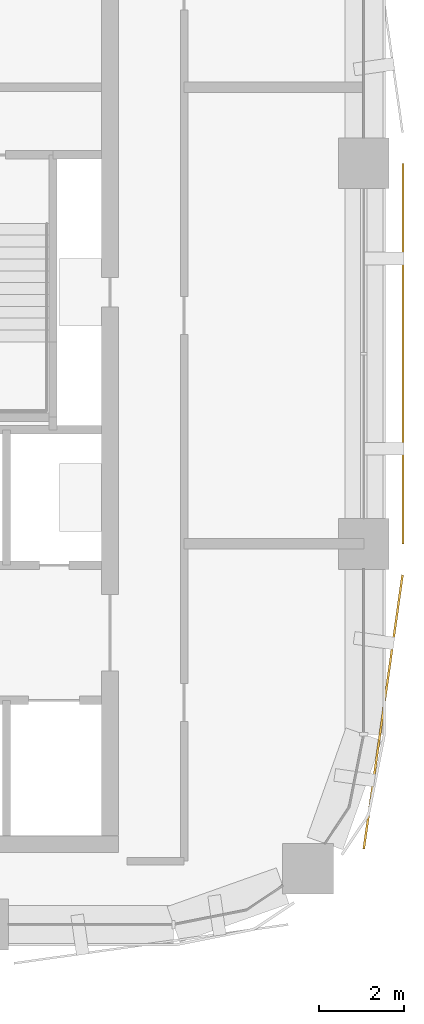
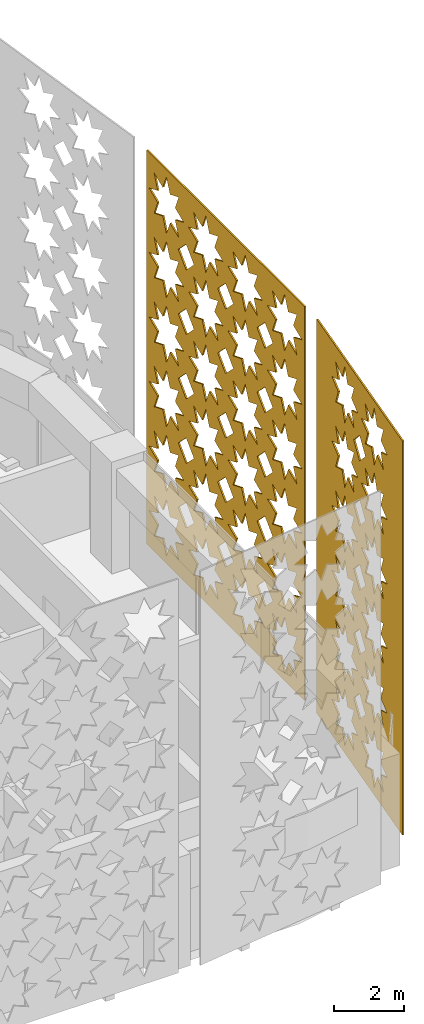
# One storey, part 16 of 17: 2 coverings.
"""IFC4 building model written with IfcOpenShell, lengths in metres."""

from ifc_helpers import new_model, si_unit, direction, frame, origin, place, context, subcontext, project, spatial, polyline, outline, extrude, material, layer, layer_set, type_object, element, save


model = new_model("IFC4")

# Units and contexts
model_context = context("Model", 3, precision=1e-05, world=origin(), true_north=direction((0.0, 1.0)))
body_context = subcontext(model_context, "Body", "Model", "MODEL_VIEW")
ifc_project = project(units=[si_unit("LENGTHUNIT", "METRE"), si_unit("AREAUNIT", "SQUARE_METRE"), si_unit("VOLUMEUNIT", "CUBIC_METRE"), si_unit("PLANEANGLEUNIT", "RADIAN"), si_unit("MASSUNIT", "GRAM", prefix="KILO")], contexts=[model_context])

# Site, building, storey
site_placement = place(None, origin())
site = spatial("IfcSite", under=ifc_project, at=site_placement, CompositionType="ELEMENT")
building_placement = place(site_placement, origin())
building = spatial("IfcBuilding", under=site, at=building_placement, Name="Tessera Arch", CompositionType="ELEMENT")
storey_placement = place(building_placement, frame((0.0, 0.0, 281.300048828125)))
storey = spatial("IfcBuildingStorey", under=building, at=storey_placement, Name="L68", CompositionType="ELEMENT", Elevation=281.300048828125)

# Coverings
ifc_material_1 = material(Name="Anodised aluminium pale metal", Category="aluminium")
ifc_layer_1 = layer(ifc_material_1, 0.050048828125)
ifc_layer_set_1 = layer_set([ifc_layer_1], Name="Pierced screen panel corner bay")
covering_type_1 = type_object("IfcCoveringType", Name="Pierced screen panel corner bay", PredefinedType="CLADDING", material=ifc_layer_set_1)
covering_1_placement = place(storey_placement, frame((53.97412109375, 28.7919921875, 13.89990234375), z_axis=(-0.990141011378, 0.140074186016, 0.0), x_axis=(0.140074186016, 0.990141011378, 0.0)))
element("IfcCovering", 1, at=covering_1_placement, inside=storey, type_object=covering_type_1, Name="SCREEN pierced panel E54.27/2 L68-L70", PredefinedType="CLADDING", context=body_context, shape_type="SweptSolid", body=[
    extrude(outline(polyline([(0.0, 0.0), (6.546475218445481, 0.0), (6.546475218445481, 13.739990234375), (0.0, 13.739990234375), (0.0, 0.0)]), holes=[polyline([(3.137858409575383, 12.494873046875), (2.6469229422635148, 12.287841796875), (2.8479028079497066, 11.794921875), (2.354999273675671, 11.995849609375), (2.1478734734576217, 11.5048828125), (1.941990539265672, 11.995849609375), (1.447878336764857, 11.794921875), (1.6490657382970841, 12.287841796875), (1.15788853733986, 12.494873046875), (1.6490657382970841, 12.701904296875), (1.447878336764857, 13.195068359375), (1.941990539265672, 12.993896484375), (2.1478734734576217, 13.48486328125), (2.354999273675671, 12.993896484375), (2.8479028079497066, 13.195068359375), (2.6469229422635148, 12.701904296875), (3.137858409575383, 12.494873046875)]), polyline([(3.137858409575383, 10.244873046875), (2.6469229422635148, 10.037841796875), (2.8479028079497066, 9.544921875), (2.354999273675671, 9.745849609375), (2.1478734734576217, 9.2548828125), (1.941990539265672, 9.745849609375), (1.447878336764857, 9.544921875), (1.6490657382970841, 10.037841796875), (1.15788853733986, 10.244873046875), (1.6490657382970841, 10.451904296875), (1.447878336764857, 10.945068359375), (1.941990539265672, 10.743896484375), (2.1478734734576217, 11.23486328125), (2.354999273675671, 10.743896484375), (2.8479028079497066, 10.945068359375), (2.6469229422635148, 10.451904296875), (3.137858409575383, 10.244873046875)]), polyline([(3.137858409575383, 7.994873046875), (2.6469229422635148, 7.787841796875), (2.8479028079497066, 7.294921875), (2.354999273675671, 7.495849609375), (2.1478734734576217, 7.0048828125), (1.941990539265672, 7.495849609375), (1.447878336764857, 7.294921875), (1.6490657382970841, 7.787841796875), (1.15788853733986, 7.994873046875), (1.6490657382970841, 8.201904296875), (1.447878336764857, 8.695068359375), (1.941990539265672, 8.493896484375), (2.1478734734576217, 8.98486328125), (2.354999273675671, 8.493896484375), (2.8479028079497066, 8.695068359375), (2.6469229422635148, 8.201904296875), (3.137858409575383, 7.994873046875)]), polyline([(3.137858409575383, 5.744873046875), (2.6469229422635148, 5.537841796875), (2.8479028079497066, 5.044921875), (2.354999273675671, 5.245849609375), (2.1478734734576217, 4.7548828125), (1.941990539265672, 5.245849609375), (1.447878336764857, 5.044921875), (1.6490657382970841, 5.537841796875), (1.15788853733986, 5.744873046875), (1.6490657382970841, 5.951904296875), (1.447878336764857, 6.445068359375), (1.941990539265672, 6.243896484375), (2.1478734734576217, 6.73486328125), (2.354999273675671, 6.243896484375), (2.8479028079497066, 6.445068359375), (2.6469229422635148, 5.951904296875), (3.137858409575383, 5.744873046875)]), polyline([(3.137858409575383, 3.494873046875), (2.6469229422635148, 3.287841796875), (2.8479028079497066, 2.794921875), (2.354999273675671, 2.995849609375), (2.1478734734576217, 2.5048828125), (1.941990539265672, 2.995849609375), (1.447878336764857, 2.794921875), (1.6490657382970841, 3.287841796875), (1.15788853733986, 3.494873046875), (1.6490657382970841, 3.701904296875), (1.447878336764857, 4.195068359375), (1.941990539265672, 3.993896484375), (2.1478734734576217, 4.48486328125), (2.354999273675671, 3.993896484375), (2.8479028079497066, 4.195068359375), (2.6469229422635148, 3.701904296875), (3.137858409575383, 3.494873046875)]), polyline([(3.137858409575383, 1.244873046875), (2.6469229422635148, 1.037841796875), (2.8479028079497066, 0.544921875), (2.354999273675671, 0.745849609375), (2.1478734734576217, 0.2548828125), (1.941990539265672, 0.745849609375), (1.447878336764857, 0.544921875), (1.6490657382970841, 1.037841796875), (1.15788853733986, 1.244873046875), (1.6490657382970841, 1.451904296875), (1.447878336764857, 1.945068359375), (1.941990539265672, 1.743896484375), (2.1478734734576217, 2.23486328125), (2.354999273675671, 1.743896484375), (2.8479028079497066, 1.945068359375), (2.6469229422635148, 1.451904296875), (3.137858409575383, 1.244873046875)]), polyline([(5.387827282370234, 12.494873046875), (4.896891815058366, 12.287841796875), (5.097871680744557, 11.794921875), (4.604968146470521, 11.995849609375), (4.397842346252473, 11.5048828125), (4.191959412060523, 11.995849609375), (3.698088943205064, 11.794921875), (3.899034611091935, 12.287841796875), (3.407857410134711, 12.494873046875), (3.899034611091935, 12.701904296875), (3.698088943205064, 13.195068359375), (4.191959412060523, 12.993896484375), (4.397842346252473, 13.48486328125), (4.604968146470521, 12.993896484375), (5.097871680744557, 13.195068359375), (4.896891815058366, 12.701904296875), (5.387827282370234, 12.494873046875)]), polyline([(5.387827282370234, 10.244873046875), (4.896891815058366, 10.037841796875), (5.097871680744557, 9.544921875), (4.604968146470521, 9.745849609375), (4.397842346252473, 9.2548828125), (4.191959412060523, 9.745849609375), (3.698088943205064, 9.544921875), (3.899034611091935, 10.037841796875), (3.407857410134711, 10.244873046875), (3.899034611091935, 10.451904296875), (3.698088943205064, 10.945068359375), (4.191959412060523, 10.743896484375), (4.397842346252473, 11.23486328125), (4.604968146470521, 10.743896484375), (5.097871680744557, 10.945068359375), (4.896891815058366, 10.451904296875), (5.387827282370234, 10.244873046875)]), polyline([(5.387827282370234, 7.994873046875), (4.896891815058366, 7.787841796875), (5.097871680744557, 7.294921875), (4.604968146470521, 7.495849609375), (4.397842346252473, 7.0048828125), (4.191959412060523, 7.495849609375), (3.698088943205064, 7.294921875), (3.899034611091935, 7.787841796875), (3.407857410134711, 7.994873046875), (3.899034611091935, 8.201904296875), (3.698088943205064, 8.695068359375), (4.191959412060523, 8.493896484375), (4.397842346252473, 8.98486328125), (4.604968146470521, 8.493896484375), (5.097871680744557, 8.695068359375), (4.896891815058366, 8.201904296875), (5.387827282370234, 7.994873046875)]), polyline([(5.387827282370234, 5.744873046875), (4.896891815058366, 5.537841796875), (5.097871680744557, 5.044921875), (4.604968146470521, 5.245849609375), (4.397842346252473, 4.7548828125), (4.191959412060523, 5.245849609375), (3.698088943205064, 5.044921875), (3.899034611091935, 5.537841796875), (3.407857410134711, 5.744873046875), (3.899034611091935, 5.951904296875), (3.698088943205064, 6.445068359375), (4.191959412060523, 6.243896484375), (4.397842346252473, 6.73486328125), (4.604968146470521, 6.243896484375), (5.097871680744557, 6.445068359375), (4.896891815058366, 5.951904296875), (5.387827282370234, 5.744873046875)]), polyline([(5.387827282370234, 3.494873046875), (4.896891815058366, 3.287841796875), (5.097871680744557, 2.794921875), (4.604968146470521, 2.995849609375), (4.397842346252473, 2.5048828125), (4.191959412060523, 2.995849609375), (3.698088943205064, 2.794921875), (3.899034611091935, 3.287841796875), (3.407857410134711, 3.494873046875), (3.899034611091935, 3.701904296875), (3.698088943205064, 4.195068359375), (4.191959412060523, 3.993896484375), (4.397842346252473, 4.48486328125), (4.604968146470521, 3.993896484375), (5.097871680744557, 4.195068359375), (4.896891815058366, 3.701904296875), (5.387827282370234, 3.494873046875)]), polyline([(5.387827282370234, 1.244873046875), (4.896891815058366, 1.037841796875), (5.097871680744557, 0.544921875), (4.604968146470521, 0.745849609375), (4.397842346252473, 0.2548828125), (4.191959412060523, 0.745849609375), (3.698088943205064, 0.544921875), (3.899034611091935, 1.037841796875), (3.407857410134711, 1.244873046875), (3.899034611091935, 1.451904296875), (3.698088943205064, 1.945068359375), (4.191959412060523, 1.743896484375), (4.397842346252473, 2.23486328125), (4.604968146470521, 1.743896484375), (5.097871680744557, 1.945068359375), (4.896891815058366, 1.451904296875), (5.387827282370234, 1.244873046875)]), polyline([(3.7229828105764913, 11.369873046875), (3.272995875577385, 10.919921875), (2.8229747427789587, 11.369873046875), (3.272995875577385, 11.820068359375), (3.7229828105764913, 11.369873046875)]), polyline([(3.7229828105764913, 9.119873046875), (3.272995875577385, 8.669921875), (2.8229747427789587, 9.119873046875), (3.272995875577385, 9.570068359375), (3.7229828105764913, 9.119873046875)]), polyline([(3.7229828105764913, 6.869873046875), (3.272995875577385, 6.419921875), (2.8229747427789587, 6.869873046875), (3.272995875577385, 7.320068359375), (3.7229828105764913, 6.869873046875)]), polyline([(3.7229828105764913, 4.619873046875), (3.272995875577385, 4.169921875), (2.8229747427789587, 4.619873046875), (3.272995875577385, 5.070068359375), (3.7229828105764913, 4.619873046875)]), polyline([(3.7229828105764913, 2.369873046875), (3.272995875577385, 1.919921875), (2.8229747427789587, 2.369873046875), (3.272995875577385, 2.820068359375), (3.7229828105764913, 2.369873046875)])]), origin(), (0.0, 0.0, -1.0), 0.050048828125),
])
ifc_material_2 = material(Name="Anodised aluminium pale metal", Category="aluminium")
ifc_layer_2 = layer(ifc_material_2, 0.050048828125)
ifc_layer_set_2 = layer_set([ifc_layer_2], Name="Pierced screen panel straight bay")
covering_type_2 = type_object("IfcCoveringType", Name="Pierced screen panel straight bay", PredefinedType="CLADDING", material=ifc_layer_set_2)
covering_2_placement = place(storey_placement, frame((54.89990234375, 36.0, 13.89990234375), z_axis=(-1.0, 0.0, 0.0), x_axis=(0.0, 1.0, 0.0)))
element("IfcCovering", 2, at=covering_2_placement, inside=storey, type_object=covering_type_2, Name="SCREEN pierced panel E54.27/0 L68-L70", PredefinedType="CLADDING", context=body_context, shape_type="SweptSolid", body=[
    extrude(outline(polyline([(0.0, 0.0), (9.0, 0.0), (9.0, 13.739990234375), (0.0, 13.739990234375), (0.0, 0.0)]), holes=[polyline([(2.114990234375, 12.494873046875), (1.6240234375, 12.287841796875), (1.824951171875, 11.794921875), (1.33203125, 11.995849609375), (1.125, 11.5048828125), (0.91796875, 11.995849609375), (0.425048828125, 11.794921875), (0.6259765625, 12.287841796875), (0.135009765625, 12.494873046875), (0.6259765625, 12.701904296875), (0.425048828125, 13.195068359375), (0.91796875, 12.993896484375), (1.125, 13.48486328125), (1.33203125, 12.993896484375), (1.824951171875, 13.195068359375), (1.6240234375, 12.701904296875), (2.114990234375, 12.494873046875)]), polyline([(2.114990234375, 10.244873046875), (1.6240234375, 10.037841796875), (1.824951171875, 9.544921875), (1.33203125, 9.745849609375), (1.125, 9.2548828125), (0.91796875, 9.745849609375), (0.425048828125, 9.544921875), (0.6259765625, 10.037841796875), (0.135009765625, 10.244873046875), (0.6259765625, 10.451904296875), (0.425048828125, 10.945068359375), (0.91796875, 10.743896484375), (1.125, 11.23486328125), (1.33203125, 10.743896484375), (1.824951171875, 10.945068359375), (1.6240234375, 10.451904296875), (2.114990234375, 10.244873046875)]), polyline([(2.114990234375, 7.994873046875), (1.6240234375, 7.787841796875), (1.824951171875, 7.294921875), (1.33203125, 7.495849609375), (1.125, 7.0048828125), (0.91796875, 7.495849609375), (0.425048828125, 7.294921875), (0.6259765625, 7.787841796875), (0.135009765625, 7.994873046875), (0.6259765625, 8.201904296875), (0.425048828125, 8.695068359375), (0.91796875, 8.493896484375), (1.125, 8.98486328125), (1.33203125, 8.493896484375), (1.824951171875, 8.695068359375), (1.6240234375, 8.201904296875), (2.114990234375, 7.994873046875)]), polyline([(2.114990234375, 5.744873046875), (1.6240234375, 5.537841796875), (1.824951171875, 5.044921875), (1.33203125, 5.245849609375), (1.125, 4.7548828125), (0.91796875, 5.245849609375), (0.425048828125, 5.044921875), (0.6259765625, 5.537841796875), (0.135009765625, 5.744873046875), (0.6259765625, 5.951904296875), (0.425048828125, 6.445068359375), (0.91796875, 6.243896484375), (1.125, 6.73486328125), (1.33203125, 6.243896484375), (1.824951171875, 6.445068359375), (1.6240234375, 5.951904296875), (2.114990234375, 5.744873046875)]), polyline([(2.114990234375, 3.494873046875), (1.6240234375, 3.287841796875), (1.824951171875, 2.794921875), (1.33203125, 2.995849609375), (1.125, 2.5048828125), (0.91796875, 2.995849609375), (0.425048828125, 2.794921875), (0.6259765625, 3.287841796875), (0.135009765625, 3.494873046875), (0.6259765625, 3.701904296875), (0.425048828125, 4.195068359375), (0.91796875, 3.993896484375), (1.125, 4.48486328125), (1.33203125, 3.993896484375), (1.824951171875, 4.195068359375), (1.6240234375, 3.701904296875), (2.114990234375, 3.494873046875)]), polyline([(2.114990234375, 1.244873046875), (1.6240234375, 1.037841796875), (1.824951171875, 0.544921875), (1.33203125, 0.745849609375), (1.125, 0.2548828125), (0.91796875, 0.745849609375), (0.425048828125, 0.544921875), (0.6259765625, 1.037841796875), (0.135009765625, 1.244873046875), (0.6259765625, 1.451904296875), (0.425048828125, 1.945068359375), (0.91796875, 1.743896484375), (1.125, 2.23486328125), (1.33203125, 1.743896484375), (1.824951171875, 1.945068359375), (1.6240234375, 1.451904296875), (2.114990234375, 1.244873046875)]), polyline([(4.364990234375, 12.494873046875), (3.8740234375, 12.287841796875), (4.074951171875, 11.794921875), (3.58203125, 11.995849609375), (3.375, 11.5048828125), (3.16796875, 11.995849609375), (2.675048828125, 11.794921875), (2.8759765625, 12.287841796875), (2.385009765625, 12.494873046875), (2.8759765625, 12.701904296875), (2.675048828125, 13.195068359375), (3.16796875, 12.993896484375), (3.375, 13.48486328125), (3.58203125, 12.993896484375), (4.074951171875, 13.195068359375), (3.8740234375, 12.701904296875), (4.364990234375, 12.494873046875)]), polyline([(4.364990234375, 10.244873046875), (3.8740234375, 10.037841796875), (4.074951171875, 9.544921875), (3.58203125, 9.745849609375), (3.375, 9.2548828125), (3.16796875, 9.745849609375), (2.675048828125, 9.544921875), (2.8759765625, 10.037841796875), (2.385009765625, 10.244873046875), (2.8759765625, 10.451904296875), (2.675048828125, 10.945068359375), (3.16796875, 10.743896484375), (3.375, 11.23486328125), (3.58203125, 10.743896484375), (4.074951171875, 10.945068359375), (3.8740234375, 10.451904296875), (4.364990234375, 10.244873046875)]), polyline([(4.364990234375, 7.994873046875), (3.8740234375, 7.787841796875), (4.074951171875, 7.294921875), (3.58203125, 7.495849609375), (3.375, 7.0048828125), (3.16796875, 7.495849609375), (2.675048828125, 7.294921875), (2.8759765625, 7.787841796875), (2.385009765625, 7.994873046875), (2.8759765625, 8.201904296875), (2.675048828125, 8.695068359375), (3.16796875, 8.493896484375), (3.375, 8.98486328125), (3.58203125, 8.493896484375), (4.074951171875, 8.695068359375), (3.8740234375, 8.201904296875), (4.364990234375, 7.994873046875)]), polyline([(4.364990234375, 5.744873046875), (3.8740234375, 5.537841796875), (4.074951171875, 5.044921875), (3.58203125, 5.245849609375), (3.375, 4.7548828125), (3.16796875, 5.245849609375), (2.675048828125, 5.044921875), (2.8759765625, 5.537841796875), (2.385009765625, 5.744873046875), (2.8759765625, 5.951904296875), (2.675048828125, 6.445068359375), (3.16796875, 6.243896484375), (3.375, 6.73486328125), (3.58203125, 6.243896484375), (4.074951171875, 6.445068359375), (3.8740234375, 5.951904296875), (4.364990234375, 5.744873046875)]), polyline([(4.364990234375, 3.494873046875), (3.8740234375, 3.287841796875), (4.074951171875, 2.794921875), (3.58203125, 2.995849609375), (3.375, 2.5048828125), (3.16796875, 2.995849609375), (2.675048828125, 2.794921875), (2.8759765625, 3.287841796875), (2.385009765625, 3.494873046875), (2.8759765625, 3.701904296875), (2.675048828125, 4.195068359375), (3.16796875, 3.993896484375), (3.375, 4.48486328125), (3.58203125, 3.993896484375), (4.074951171875, 4.195068359375), (3.8740234375, 3.701904296875), (4.364990234375, 3.494873046875)]), polyline([(4.364990234375, 1.244873046875), (3.8740234375, 1.037841796875), (4.074951171875, 0.544921875), (3.58203125, 0.745849609375), (3.375, 0.2548828125), (3.16796875, 0.745849609375), (2.675048828125, 0.544921875), (2.8759765625, 1.037841796875), (2.385009765625, 1.244873046875), (2.8759765625, 1.451904296875), (2.675048828125, 1.945068359375), (3.16796875, 1.743896484375), (3.375, 2.23486328125), (3.58203125, 1.743896484375), (4.074951171875, 1.945068359375), (3.8740234375, 1.451904296875), (4.364990234375, 1.244873046875)]), polyline([(6.614990234375, 12.494873046875), (6.1240234375, 12.287841796875), (6.324951171875, 11.794921875), (5.83203125, 11.995849609375), (5.625, 11.5048828125), (5.41796875, 11.995849609375), (4.925048828125, 11.794921875), (5.1259765625, 12.287841796875), (4.635009765625, 12.494873046875), (5.1259765625, 12.701904296875), (4.925048828125, 13.195068359375), (5.41796875, 12.993896484375), (5.625, 13.48486328125), (5.83203125, 12.993896484375), (6.324951171875, 13.195068359375), (6.1240234375, 12.701904296875), (6.614990234375, 12.494873046875)]), polyline([(6.614990234375, 10.244873046875), (6.1240234375, 10.037841796875), (6.324951171875, 9.544921875), (5.83203125, 9.745849609375), (5.625, 9.2548828125), (5.41796875, 9.745849609375), (4.925048828125, 9.544921875), (5.1259765625, 10.037841796875), (4.635009765625, 10.244873046875), (5.1259765625, 10.451904296875), (4.925048828125, 10.945068359375), (5.41796875, 10.743896484375), (5.625, 11.23486328125), (5.83203125, 10.743896484375), (6.324951171875, 10.945068359375), (6.1240234375, 10.451904296875), (6.614990234375, 10.244873046875)]), polyline([(6.614990234375, 7.994873046875), (6.1240234375, 7.787841796875), (6.324951171875, 7.294921875), (5.83203125, 7.495849609375), (5.625, 7.0048828125), (5.41796875, 7.495849609375), (4.925048828125, 7.294921875), (5.1259765625, 7.787841796875), (4.635009765625, 7.994873046875), (5.1259765625, 8.201904296875), (4.925048828125, 8.695068359375), (5.41796875, 8.493896484375), (5.625, 8.98486328125), (5.83203125, 8.493896484375), (6.324951171875, 8.695068359375), (6.1240234375, 8.201904296875), (6.614990234375, 7.994873046875)]), polyline([(6.614990234375, 5.744873046875), (6.1240234375, 5.537841796875), (6.324951171875, 5.044921875), (5.83203125, 5.245849609375), (5.625, 4.7548828125), (5.41796875, 5.245849609375), (4.925048828125, 5.044921875), (5.1259765625, 5.537841796875), (4.635009765625, 5.744873046875), (5.1259765625, 5.951904296875), (4.925048828125, 6.445068359375), (5.41796875, 6.243896484375), (5.625, 6.73486328125), (5.83203125, 6.243896484375), (6.324951171875, 6.445068359375), (6.1240234375, 5.951904296875), (6.614990234375, 5.744873046875)]), polyline([(6.614990234375, 3.494873046875), (6.1240234375, 3.287841796875), (6.324951171875, 2.794921875), (5.83203125, 2.995849609375), (5.625, 2.5048828125), (5.41796875, 2.995849609375), (4.925048828125, 2.794921875), (5.1259765625, 3.287841796875), (4.635009765625, 3.494873046875), (5.1259765625, 3.701904296875), (4.925048828125, 4.195068359375), (5.41796875, 3.993896484375), (5.625, 4.48486328125), (5.83203125, 3.993896484375), (6.324951171875, 4.195068359375), (6.1240234375, 3.701904296875), (6.614990234375, 3.494873046875)]), polyline([(6.614990234375, 1.244873046875), (6.1240234375, 1.037841796875), (6.324951171875, 0.544921875), (5.83203125, 0.745849609375), (5.625, 0.2548828125), (5.41796875, 0.745849609375), (4.925048828125, 0.544921875), (5.1259765625, 1.037841796875), (4.635009765625, 1.244873046875), (5.1259765625, 1.451904296875), (4.925048828125, 1.945068359375), (5.41796875, 1.743896484375), (5.625, 2.23486328125), (5.83203125, 1.743896484375), (6.324951171875, 1.945068359375), (6.1240234375, 1.451904296875), (6.614990234375, 1.244873046875)]), polyline([(8.864990234375, 12.494873046875), (8.3740234375, 12.287841796875), (8.574951171875, 11.794921875), (8.08203125, 11.995849609375), (7.875, 11.5048828125), (7.66796875, 11.995849609375), (7.175048828125, 11.794921875), (7.3759765625, 12.287841796875), (6.885009765625, 12.494873046875), (7.3759765625, 12.701904296875), (7.175048828125, 13.195068359375), (7.66796875, 12.993896484375), (7.875, 13.48486328125), (8.08203125, 12.993896484375), (8.574951171875, 13.195068359375), (8.3740234375, 12.701904296875), (8.864990234375, 12.494873046875)]), polyline([(8.864990234375, 10.244873046875), (8.3740234375, 10.037841796875), (8.574951171875, 9.544921875), (8.08203125, 9.745849609375), (7.875, 9.2548828125), (7.66796875, 9.745849609375), (7.175048828125, 9.544921875), (7.3759765625, 10.037841796875), (6.885009765625, 10.244873046875), (7.3759765625, 10.451904296875), (7.175048828125, 10.945068359375), (7.66796875, 10.743896484375), (7.875, 11.23486328125), (8.08203125, 10.743896484375), (8.574951171875, 10.945068359375), (8.3740234375, 10.451904296875), (8.864990234375, 10.244873046875)]), polyline([(8.864990234375, 7.994873046875), (8.3740234375, 7.787841796875), (8.574951171875, 7.294921875), (8.08203125, 7.495849609375), (7.875, 7.0048828125), (7.66796875, 7.495849609375), (7.175048828125, 7.294921875), (7.3759765625, 7.787841796875), (6.885009765625, 7.994873046875), (7.3759765625, 8.201904296875), (7.175048828125, 8.695068359375), (7.66796875, 8.493896484375), (7.875, 8.98486328125), (8.08203125, 8.493896484375), (8.574951171875, 8.695068359375), (8.3740234375, 8.201904296875), (8.864990234375, 7.994873046875)]), polyline([(8.864990234375, 5.744873046875), (8.3740234375, 5.537841796875), (8.574951171875, 5.044921875), (8.08203125, 5.245849609375), (7.875, 4.7548828125), (7.66796875, 5.245849609375), (7.175048828125, 5.044921875), (7.3759765625, 5.537841796875), (6.885009765625, 5.744873046875), (7.3759765625, 5.951904296875), (7.175048828125, 6.445068359375), (7.66796875, 6.243896484375), (7.875, 6.73486328125), (8.08203125, 6.243896484375), (8.574951171875, 6.445068359375), (8.3740234375, 5.951904296875), (8.864990234375, 5.744873046875)]), polyline([(8.864990234375, 3.494873046875), (8.3740234375, 3.287841796875), (8.574951171875, 2.794921875), (8.08203125, 2.995849609375), (7.875, 2.5048828125), (7.66796875, 2.995849609375), (7.175048828125, 2.794921875), (7.3759765625, 3.287841796875), (6.885009765625, 3.494873046875), (7.3759765625, 3.701904296875), (7.175048828125, 4.195068359375), (7.66796875, 3.993896484375), (7.875, 4.48486328125), (8.08203125, 3.993896484375), (8.574951171875, 4.195068359375), (8.3740234375, 3.701904296875), (8.864990234375, 3.494873046875)]), polyline([(8.864990234375, 1.244873046875), (8.3740234375, 1.037841796875), (8.574951171875, 0.544921875), (8.08203125, 0.745849609375), (7.875, 0.2548828125), (7.66796875, 0.745849609375), (7.175048828125, 0.544921875), (7.3759765625, 1.037841796875), (6.885009765625, 1.244873046875), (7.3759765625, 1.451904296875), (7.175048828125, 1.945068359375), (7.66796875, 1.743896484375), (7.875, 2.23486328125), (8.08203125, 1.743896484375), (8.574951171875, 1.945068359375), (8.3740234375, 1.451904296875), (8.864990234375, 1.244873046875)]), polyline([(2.699951171875, 11.369873046875), (2.25, 10.919921875), (1.800048828125, 11.369873046875), (2.25, 11.820068359375), (2.699951171875, 11.369873046875)]), polyline([(2.699951171875, 9.119873046875), (2.25, 8.669921875), (1.800048828125, 9.119873046875), (2.25, 9.570068359375), (2.699951171875, 9.119873046875)]), polyline([(2.699951171875, 6.869873046875), (2.25, 6.419921875), (1.800048828125, 6.869873046875), (2.25, 7.320068359375), (2.699951171875, 6.869873046875)]), polyline([(2.699951171875, 4.619873046875), (2.25, 4.169921875), (1.800048828125, 4.619873046875), (2.25, 5.070068359375), (2.699951171875, 4.619873046875)]), polyline([(2.699951171875, 2.369873046875), (2.25, 1.919921875), (1.800048828125, 2.369873046875), (2.25, 2.820068359375), (2.699951171875, 2.369873046875)]), polyline([(4.949951171875, 11.369873046875), (4.5, 10.919921875), (4.050048828125, 11.369873046875), (4.5, 11.820068359375), (4.949951171875, 11.369873046875)]), polyline([(4.949951171875, 9.119873046875), (4.5, 8.669921875), (4.050048828125, 9.119873046875), (4.5, 9.570068359375), (4.949951171875, 9.119873046875)]), polyline([(4.949951171875, 6.869873046875), (4.5, 6.419921875), (4.050048828125, 6.869873046875), (4.5, 7.320068359375), (4.949951171875, 6.869873046875)]), polyline([(4.949951171875, 4.619873046875), (4.5, 4.169921875), (4.050048828125, 4.619873046875), (4.5, 5.070068359375), (4.949951171875, 4.619873046875)]), polyline([(4.949951171875, 2.369873046875), (4.5, 1.919921875), (4.050048828125, 2.369873046875), (4.5, 2.820068359375), (4.949951171875, 2.369873046875)]), polyline([(7.199951171875, 11.369873046875), (6.75, 10.919921875), (6.300048828125, 11.369873046875), (6.75, 11.820068359375), (7.199951171875, 11.369873046875)]), polyline([(7.199951171875, 9.119873046875), (6.75, 8.669921875), (6.300048828125, 9.119873046875), (6.75, 9.570068359375), (7.199951171875, 9.119873046875)]), polyline([(7.199951171875, 6.869873046875), (6.75, 6.419921875), (6.300048828125, 6.869873046875), (6.75, 7.320068359375), (7.199951171875, 6.869873046875)]), polyline([(7.199951171875, 4.619873046875), (6.75, 4.169921875), (6.300048828125, 4.619873046875), (6.75, 5.070068359375), (7.199951171875, 4.619873046875)]), polyline([(7.199951171875, 2.369873046875), (6.75, 1.919921875), (6.300048828125, 2.369873046875), (6.75, 2.820068359375), (7.199951171875, 2.369873046875)])]), origin(), (0.0, 0.0, -1.0), 0.050048828125),
])

save(model, "model.ifc")
